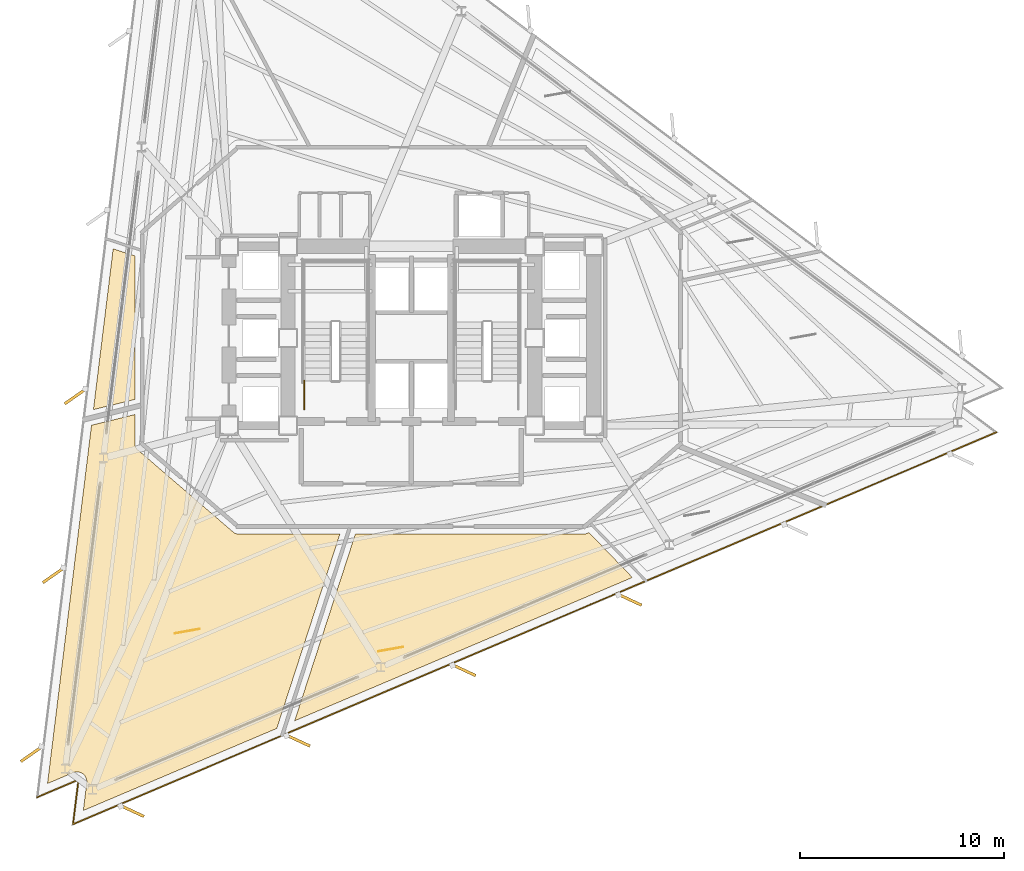
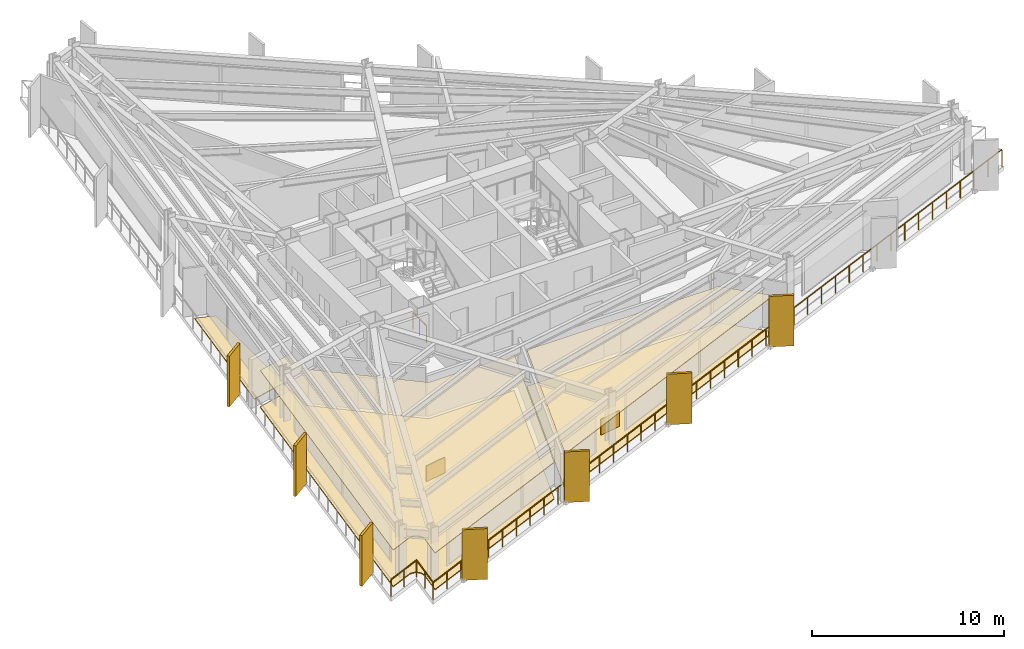
# One storey, part 9 of 13: 7 coverings, 7 shading devices, 2 railings.
"""IFC4 building model written with IfcOpenShell, lengths in metres."""

from ifc_helpers import new_model, si_unit, direction, frame, origin, origin_2d, place, context, subcontext, project, spatial, polyline, rectangle, outline, extrude, material, layer, layer_set, type_object, element, save


model = new_model("IFC4")

# Units and contexts
model_context = context("Model", 3, precision=1e-05, world=origin(), true_north=direction((0.0, 1.0)))
body_context = subcontext(model_context, "Body", "Model", "MODEL_VIEW")
ifc_project = project(units=[si_unit("LENGTHUNIT", "METRE"), si_unit("AREAUNIT", "SQUARE_METRE"), si_unit("VOLUMEUNIT", "CUBIC_METRE"), si_unit("PLANEANGLEUNIT", "RADIAN"), si_unit("MASSUNIT", "GRAM", prefix="KILO")], contexts=[model_context])

# Site, building, storey
site_placement = place(None, origin())
site = spatial("IfcSite", under=ifc_project, at=site_placement, CompositionType="ELEMENT")
building_placement = place(site_placement, origin())
building = spatial("IfcBuilding", under=site, at=building_placement, Name="Rocaltana Carrier Exchange", CompositionType="ELEMENT")
storey_placement = place(building_placement, frame((0.0, 0.0, 52.9599609375)))
storey = spatial("IfcBuildingStorey", under=building, at=storey_placement, Name="L16", CompositionType="ELEMENT", Elevation=52.9599609375)

# Coverings
ifc_material_1 = material(Name="Calcium Sulphate & Aluminium Pedestal", Category="aluminium")
ifc_layer_1 = layer(ifc_material_1, 0.06005859375)
ifc_layer_set_1 = layer_set([ifc_layer_1], Name="Calcium Sulphate & Aluminium Pedestal")
covering_type_1 = type_object("IfcCoveringType", Name="Anti-Static Raised Exchange Access Floor 60", PredefinedType="FLOORING", material=ifc_layer_set_1)
covering_1_placement = place(storey_placement, origin())
element("IfcCovering", 1, at=covering_1_placement, inside=storey, type_object=covering_type_1, Name="L16 Network Engineering Studio Finish Floor", PredefinedType="FLOORING", context=body_context, shape_type="SweptSolid", body=[
    extrude(outline(polyline([(-15.923583984375, -21.822021484375), (-15.922119140625, -21.80810546875), (-15.9208984375, -21.788330078125), (-15.920166015625, -21.760498046875), (-15.920654296875, -21.740478515625), (-15.9228515625, -21.712646484375), (-15.92529296875, -21.69287109375), (-15.930419921875, -21.665283203125), (-15.934814453125, -21.64599609375), (-15.9423828125, -21.619140625), (-15.94873046875, -21.60009765625), (-15.958984375, -21.57421875), (-15.96728515625, -21.55615234375), (-15.97998046875, -21.53125), (-15.989990234375, -21.51416015625), (-16.00537109375, -21.49072265625), (-16.01708984375, -21.474609375), (-16.034423828125, -21.45263671875), (-16.047607421875, -21.437744140625), (-16.067138671875, -21.41796875), (-16.081787109375, -21.404296875), (-16.103271484375, -21.386474609375), (-16.119140625, -21.37451171875), (-16.142333984375, -21.35888671875), (-16.159423828125, -21.348388671875), (-16.183837890625, -21.335205078125), (-16.201904296875, -21.326416015625), (-16.227783203125, -21.31591796875), (-16.246337890625, -21.30908203125), (-16.273193359375, -21.30078125), (-16.29248046875, -21.2958984375), (-16.31982421875, -21.29052734375), (-16.339599609375, -21.28759765625), (-16.3671875, -21.284912109375), (-16.38720703125, -21.283935546875), (-16.415283203125, -21.283935546875), (-16.43505859375, -21.284912109375), (-16.462890625, -21.287841796875), (-16.482421875, -21.291015625), (-16.510009765625, -21.29638671875), (-16.529296875, -21.301513671875), (-16.555908203125, -21.309814453125), (-16.57470703125, -21.316650390625), (-16.587646484375, -21.32177734375), (-17.847412109375, -21.8564453125), (-15.689697265625, -4.282958984375), (-13.56005859375, -3.751953125), (-13.56005859375, -5.199951171875), (-13.559814453125, -5.21337890625), (-13.559326171875, -5.220947265625), (-13.556884765625, -5.24755859375), (-13.5556640625, -5.255126953125), (-13.550537109375, -5.281494140625), (-13.548828125, -5.288818359375), (-13.541259765625, -5.314453125), (-13.538818359375, -5.32177734375), (-13.52880859375, -5.346435546875), (-13.525634765625, -5.353515625), (-13.51318359375, -5.377197265625), (-13.509521484375, -5.3837890625), (-13.4951171875, -5.40625), (-13.490478515625, -5.41259765625), (-13.47412109375, -5.433349609375), (-13.468994140625, -5.439208984375), (-13.450439453125, -5.45849609375), (-13.44482421875, -5.4638671875), (-13.43505859375, -5.47265625), (-8.735107421875, -9.522705078125), (-8.72412109375, -9.53173828125), (-8.717529296875, -9.53662109375), (-8.6943359375, -9.552978515625), (-8.6875, -9.557373046875), (-8.66259765625, -9.571044921875), (-8.6552734375, -9.57470703125), (-8.629150390625, -9.5859375), (-8.62158203125, -9.5888671875), (-8.594482421875, -9.597412109375), (-8.58642578125, -9.599365234375), (-8.55859375, -9.60498046875), (-8.550537109375, -9.606201171875), (-8.522216796875, -9.609130859375), (-8.51416015625, -9.609619140625), (-8.5, -9.610107421875), (-3.5009765625, -9.610107421875), (-6.6015625, -19.15283203125), (-16.09033203125, -23.180419921875), (-15.923583984375, -21.822021484375)])), origin(), (0.0, 0.0, 1.0), 0.06005859375),
])
covering_2_placement = place(storey_placement, origin())
element("IfcCovering", 2, at=covering_2_placement, inside=storey, type_object=covering_type_1, Name="L16 Photonic Integration Workshop Finish Floor", PredefinedType="FLOORING", context=body_context, shape_type="SweptSolid", body=[
    extrude(outline(polyline([(-5.723388671875, -18.780029296875), (-2.743896484375, -9.610107421875), (8.5, -9.610107421875), (8.51416015625, -9.609619140625), (8.522216796875, -9.609130859375), (8.550537109375, -9.606201171875), (8.55859375, -9.60498046875), (8.58642578125, -9.599365234375), (8.594482421875, -9.597412109375), (8.62158203125, -9.5888671875), (8.629150390625, -9.5859375), (8.6552734375, -9.57470703125), (8.66259765625, -9.571044921875), (8.6875, -9.557373046875), (8.6943359375, -9.552978515625), (8.71240234375, -9.540283203125), (10.843994140625, -11.74755859375), (-5.723388671875, -18.780029296875)])), origin(), (0.0, 0.0, 1.0), 0.06005859375),
])
covering_3_placement = place(storey_placement, origin())
element("IfcCovering", 3, at=covering_3_placement, inside=storey, type_object=covering_type_1, Name="L16 Cloud Architecture Office Finish Floor", PredefinedType="FLOORING", context=body_context, shape_type="SweptSolid", body=[
    extrude(outline(polyline([(-14.626708984375, 4.3740234375), (-13.56005859375, 4.02734375), (-13.56005859375, -3.010009765625), (-15.595703125, -3.517333984375), (-14.626708984375, 4.3740234375)])), origin(), (0.0, 0.0, 1.0), 0.06005859375),
])
ifc_material_2 = material(Name="Mineral Fibre & Powder-Coated Aluminium", Category="aluminium")
ifc_layer_2 = layer(ifc_material_2, 0.044921875)
ifc_layer_set_2 = layer_set([ifc_layer_2], Name="Mineral Fibre & Powder-Coated Aluminium")
covering_type_2 = type_object("IfcCoveringType", Name="Micro-Perforated Acoustic Ceiling 45", PredefinedType="CEILING", material=ifc_layer_set_2)
covering_4_placement = place(storey_placement, frame((0.0, 0.0, 2.322998046875)))
element("IfcCovering", 4, at=covering_4_placement, inside=storey, type_object=covering_type_2, Name="L16 Network Engineering Studio Acoustic Ceiling", PredefinedType="CEILING", context=body_context, shape_type="SweptSolid", body=[
    extrude(outline(polyline([(-15.923583984375, -21.822021484375), (-15.922119140625, -21.80810546875), (-15.9208984375, -21.788330078125), (-15.920166015625, -21.760498046875), (-15.920654296875, -21.740478515625), (-15.9228515625, -21.712646484375), (-15.92529296875, -21.69287109375), (-15.930419921875, -21.665283203125), (-15.934814453125, -21.64599609375), (-15.9423828125, -21.619140625), (-15.94873046875, -21.60009765625), (-15.958984375, -21.57421875), (-15.96728515625, -21.55615234375), (-15.97998046875, -21.53125), (-15.989990234375, -21.51416015625), (-16.00537109375, -21.49072265625), (-16.01708984375, -21.474609375), (-16.034423828125, -21.45263671875), (-16.047607421875, -21.437744140625), (-16.067138671875, -21.41796875), (-16.081787109375, -21.404296875), (-16.103271484375, -21.386474609375), (-16.119140625, -21.37451171875), (-16.142333984375, -21.35888671875), (-16.159423828125, -21.348388671875), (-16.183837890625, -21.335205078125), (-16.201904296875, -21.326416015625), (-16.227783203125, -21.31591796875), (-16.246337890625, -21.30908203125), (-16.273193359375, -21.30078125), (-16.29248046875, -21.2958984375), (-16.31982421875, -21.29052734375), (-16.339599609375, -21.28759765625), (-16.3671875, -21.284912109375), (-16.38720703125, -21.283935546875), (-16.415283203125, -21.283935546875), (-16.43505859375, -21.284912109375), (-16.462890625, -21.287841796875), (-16.482421875, -21.291015625), (-16.510009765625, -21.29638671875), (-16.529296875, -21.301513671875), (-16.555908203125, -21.309814453125), (-16.57470703125, -21.316650390625), (-16.587646484375, -21.32177734375), (-17.847412109375, -21.8564453125), (-15.689697265625, -4.282958984375), (-13.56005859375, -3.751953125), (-13.56005859375, -5.199951171875), (-13.559814453125, -5.21337890625), (-13.559326171875, -5.220947265625), (-13.556884765625, -5.24755859375), (-13.5556640625, -5.255126953125), (-13.550537109375, -5.281494140625), (-13.548828125, -5.288818359375), (-13.541259765625, -5.314453125), (-13.538818359375, -5.32177734375), (-13.52880859375, -5.346435546875), (-13.525634765625, -5.353515625), (-13.51318359375, -5.377197265625), (-13.509521484375, -5.3837890625), (-13.4951171875, -5.40625), (-13.490478515625, -5.41259765625), (-13.47412109375, -5.433349609375), (-13.468994140625, -5.439208984375), (-13.450439453125, -5.45849609375), (-13.44482421875, -5.4638671875), (-13.43505859375, -5.47265625), (-8.735107421875, -9.522705078125), (-8.72412109375, -9.53173828125), (-8.717529296875, -9.53662109375), (-8.6943359375, -9.552978515625), (-8.6875, -9.557373046875), (-8.66259765625, -9.571044921875), (-8.6552734375, -9.57470703125), (-8.629150390625, -9.5859375), (-8.62158203125, -9.5888671875), (-8.594482421875, -9.597412109375), (-8.58642578125, -9.599365234375), (-8.55859375, -9.60498046875), (-8.550537109375, -9.606201171875), (-8.522216796875, -9.609130859375), (-8.51416015625, -9.609619140625), (-8.5, -9.610107421875), (-3.5009765625, -9.610107421875), (-6.6015625, -19.15283203125), (-16.09033203125, -23.180419921875), (-15.923583984375, -21.822021484375)])), origin(), (0.0, 0.0, 1.0), 0.044921875),
])
covering_5_placement = place(storey_placement, frame((0.0, 0.0, 2.322998046875)))
element("IfcCovering", 5, at=covering_5_placement, inside=storey, type_object=covering_type_2, Name="L16 Photonic Integration Workshop Acoustic Ceiling", PredefinedType="CEILING", context=body_context, shape_type="SweptSolid", body=[
    extrude(outline(polyline([(-5.723388671875, -18.780029296875), (-2.743896484375, -9.610107421875), (8.5, -9.610107421875), (8.51416015625, -9.609619140625), (8.522216796875, -9.609130859375), (8.550537109375, -9.606201171875), (8.55859375, -9.60498046875), (8.58642578125, -9.599365234375), (8.594482421875, -9.597412109375), (8.62158203125, -9.5888671875), (8.629150390625, -9.5859375), (8.6552734375, -9.57470703125), (8.66259765625, -9.571044921875), (8.6875, -9.557373046875), (8.6943359375, -9.552978515625), (8.71240234375, -9.540283203125), (10.843994140625, -11.74755859375), (-5.723388671875, -18.780029296875)])), origin(), (0.0, 0.0, 1.0), 0.044921875),
])

# Railing
ifc_material_3 = material(Name="Powder-Coated Aluminium 6063-T6", Category="aluminium")
ifc_layer_3 = layer(ifc_material_3, 0.048095703125)
ifc_layer_set_3 = layer_set([ifc_layer_3], Name="Powder-Coated Aluminium 6063-T6")
railing_type_1 = type_object("IfcRailingType", Name="Stair Well Guardrail 1100", PredefinedType="GUARDRAIL", material=ifc_layer_set_3)
railing_1_placement = place(storey_placement, frame((-5.25, -3.5, 0.0)))
element("IfcRailing", 6, at=railing_1_placement, inside=storey, type_object=railing_type_1, Name="L16 ST-1 stair guard 9", PredefinedType="GUARDRAIL", context=body_context, shape_type="SweptSolid", body=[
    extrude(rectangle(XDim=0.048095703125, YDim=0.048095703125, at=origin_2d()), frame((0.0, 0.0, 1.076171875), z_axis=(0.0, 1.0, 0.0), x_axis=(-1.0, 0.0, 0.0)), (0.0, 0.0, 1.0), 1.39990234375),
    extrude(rectangle(XDim=0.0419921875, YDim=0.0419921875, at=origin_2d()), origin(), (0.0, 0.0, 1.0), 1.052001953125),
    extrude(rectangle(XDim=0.0419921875, YDim=0.0419921875, at=origin_2d()), frame((0.0, 0.699951171875, 0.0)), (0.0, 0.0, 1.0), 1.052001953125),
    extrude(rectangle(XDim=0.0419921875, YDim=0.0419921875, at=origin_2d()), frame((0.0, 1.39990234375, 0.0)), (0.0, 0.0, 1.0), 1.052001953125),
])

# Coverings
ifc_material_4 = material(Name="Honed Piedra Muneca Sandstone", Category="masonry")
ifc_layer_4 = layer(ifc_material_4, 0.034912109375)
ifc_layer_set_4 = layer_set([ifc_layer_4], Name="Honed Piedra Muneca Sandstone")
covering_type_3 = type_object("IfcCoveringType", Name="Stone Facade Cladding 35", PredefinedType="CLADDING", material=ifc_layer_set_4)
for number, where, z_axis, x_axis, name in (
    (7, (-10.990478515625, -14.38134765625, 0.0), (0.0, 0.0, 1.0), (0.984807753012, 0.173648177667, 0.0), "L16 Stone Facade Cladding Panel 1"),
    (8, (-1.010498046875, -15.263916015625, 0.0), (0.0, 0.0, 1.0), (0.984807753012, 0.173648177667, 0.0), "L16 Stone Facade Cladding Panel 2"),
):
    element("IfcCovering", number, at=place(storey_placement, frame(where, z_axis=z_axis, x_axis=x_axis)), inside=storey, type_object=covering_type_3, Name=name, PredefinedType="CLADDING", context=body_context, shape_type="SweptSolid", body=[
        extrude(rectangle(XDim=1.25, YDim=0.034912109375, at=origin_2d()), origin(), (0.0, 0.0, 1.0), 1.050048828125),
    ])

# Shading devices
ifc_material_5 = material(Name="Honed Bogota Sandstone & Concrete C45/55", Category="masonry")
ifc_layer_5 = layer(ifc_material_5, 0.139892578125)
ifc_layer_set_5 = layer_set([ifc_layer_5], Name="Honed Bogota Sandstone & Concrete C45/55")
shading_device_type = type_object("IfcShadingDeviceType", Name="Vertical Sandstone Shading Fin 1320x140", PredefinedType="USERDEFINED", material=ifc_layer_set_5)
for number, where, z_axis, x_axis, name in (
    (9, (-16.46142578125, -2.85009765625, -0.1201171875), (0.0, 0.0, 1.0), (-0.819152044289, -0.573576436351, 0.0), "L16 Sandstone Vertical Fin F2-04"),
    (10, (-17.538818359375, -11.6240234375, -0.1201171875), (0.0, 0.0, 1.0), (-0.819152044289, -0.573576436351, 0.0), "L16 Sandstone Vertical Fin F2-05"),
    (11, (-18.6162109375, -20.398193359375, -0.1201171875), (0.0, 0.0, 1.0), (-0.819152044289, -0.573576436351, 0.0), "L16 Sandstone Vertical Fin F2-06"),
    (12, (-13.712890625, -23.193359375, -0.1201171875), (0.0, 0.0, 1.0), (0.906307787037, -0.422618261741, 0.0), "L16 Sandstone Vertical Fin F3-01"),
    (13, (-5.57568359375, -19.7392578125, -0.1201171875), (0.0, 0.0, 1.0), (0.906307787037, -0.422618261741, 0.0), "L16 Sandstone Vertical Fin F3-02"),
    (14, (2.5615234375, -16.28515625, -0.1201171875), (0.0, 0.0, 1.0), (0.906307787037, -0.422618261741, 0.0), "L16 Sandstone Vertical Fin F3-03"),
    (15, (10.698974609375, -12.8310546875, -0.1201171875), (0.0, 0.0, 1.0), (0.906307787037, -0.422618261741, 0.0), "L16 Sandstone Vertical Fin F3-04"),
):
    element("IfcShadingDevice", number, at=place(storey_placement, frame(where, z_axis=z_axis, x_axis=x_axis)), inside=storey, type_object=shading_device_type, Name=name, ObjectType="FIN", PredefinedType="USERDEFINED", context=body_context, shape_type="SweptSolid", body=[
        extrude(rectangle(XDim=1.320068359375, YDim=0.139892578125, at=origin_2d()), origin(), (0.0, 0.0, 1.0), 3.218017578125),
    ])

# Railing
ifc_material_6 = material(Name="Powder-Coated Aluminium 6063-T6", Category="aluminium")
ifc_layer_6 = layer(ifc_material_6, 0.06005859375)
ifc_layer_set_6 = layer_set([ifc_layer_6], Name="Powder-Coated Aluminium 6063-T6")
railing_type_2 = type_object("IfcRailingType", Name="Wind-Floor & Terrace Perimeter Guardrail 1100", PredefinedType="GUARDRAIL", material=ifc_layer_set_6)
railing_2_placement = place(storey_placement, frame((28.685791015625, -4.63037109375, 0.0)))
element("IfcRailing", 16, at=railing_2_placement, inside=storey, type_object=railing_type_2, Name="L16 Perimeter Balcony Guardrail 1", PredefinedType="GUARDRAIL", context=body_context, shape_type="SweptSolid", body=[
    extrude(rectangle(XDim=0.048095703125, YDim=0.048095703125, at=origin_2d()), frame((0.0, 0.0, 1.076171875), z_axis=(-0.920504928534, -0.390730951608, 0.0), x_axis=(0.390730951608, -0.920504928534, 0.0)), (0.0, 0.0, 1.0), 49.1923828125),
    extrude(rectangle(XDim=0.048095703125, YDim=0.048095703125, at=origin_2d()), frame((-45.28173828125, -19.220947265625, 1.076171875), z_axis=(0.121849105842, 0.992548636292, 0.0), x_axis=(-0.992548636292, 0.121849105842, 0.0)), (0.0, 0.0, 1.0), 2.199951171875),
    extrude(rectangle(XDim=0.048095703125, YDim=0.048095703125, at=origin_2d()), frame((-45.013671875, -17.037353515625, 1.076171875), z_axis=(-0.920488651352, -0.390769296046, 0.0), x_axis=(0.390769296046, -0.920488651352, 0.0)), (0.0, 0.0, 1.0), 2.19970703125),
    extrude(rectangle(XDim=0.0419921875, YDim=0.0419921875, at=origin_2d()), origin(), (0.0, 0.0, 1.0), 1.052001953125),
    extrude(rectangle(XDim=0.0419921875, YDim=0.0419921875, at=origin_2d()), frame((-1.1044921875, -0.46875, 0.0)), (0.0, 0.0, 1.0), 1.052001953125),
    extrude(rectangle(XDim=0.0419921875, YDim=0.0419921875, at=origin_2d()), frame((-2.208984375, -0.9375, 0.0)), (0.0, 0.0, 1.0), 1.052001953125),
    extrude(rectangle(XDim=0.0419921875, YDim=0.0419921875, at=origin_2d()), frame((-3.313232421875, -1.406494140625, 0.0)), (0.0, 0.0, 1.0), 1.052001953125),
    extrude(rectangle(XDim=0.0419921875, YDim=0.0419921875, at=origin_2d()), frame((-4.417724609375, -1.875244140625, 0.0)), (0.0, 0.0, 1.0), 1.052001953125),
    extrude(rectangle(XDim=0.0419921875, YDim=0.0419921875, at=origin_2d()), frame((-5.522216796875, -2.343994140625, 0.0)), (0.0, 0.0, 1.0), 1.052001953125),
    extrude(rectangle(XDim=0.0419921875, YDim=0.0419921875, at=origin_2d()), frame((-6.626708984375, -2.812744140625, 0.0)), (0.0, 0.0, 1.0), 1.052001953125),
    extrude(rectangle(XDim=0.0419921875, YDim=0.0419921875, at=origin_2d()), frame((-7.73095703125, -3.28173828125, 0.0)), (0.0, 0.0, 1.0), 1.052001953125),
    extrude(rectangle(XDim=0.0419921875, YDim=0.0419921875, at=origin_2d()), frame((-8.83544921875, -3.75048828125, 0.0)), (0.0, 0.0, 1.0), 1.052001953125),
    extrude(rectangle(XDim=0.0419921875, YDim=0.0419921875, at=origin_2d()), frame((-9.93994140625, -4.21923828125, 0.0)), (0.0, 0.0, 1.0), 1.052001953125),
    extrude(rectangle(XDim=0.0419921875, YDim=0.0419921875, at=origin_2d()), frame((-11.04443359375, -4.68798828125, 0.0)), (0.0, 0.0, 1.0), 1.052001953125),
    extrude(rectangle(XDim=0.0419921875, YDim=0.0419921875, at=origin_2d()), frame((-12.148681640625, -5.15673828125, 0.0)), (0.0, 0.0, 1.0), 1.052001953125),
    extrude(rectangle(XDim=0.0419921875, YDim=0.0419921875, at=origin_2d()), frame((-13.253173828125, -5.625732421875, 0.0)), (0.0, 0.0, 1.0), 1.052001953125),
    extrude(rectangle(XDim=0.0419921875, YDim=0.0419921875, at=origin_2d()), frame((-14.357666015625, -6.094482421875, 0.0)), (0.0, 0.0, 1.0), 1.052001953125),
    extrude(rectangle(XDim=0.0419921875, YDim=0.0419921875, at=origin_2d()), frame((-15.462158203125, -6.563232421875, 0.0)), (0.0, 0.0, 1.0), 1.052001953125),
    extrude(rectangle(XDim=0.0419921875, YDim=0.0419921875, at=origin_2d()), frame((-16.56640625, -7.031982421875, 0.0)), (0.0, 0.0, 1.0), 1.052001953125),
    extrude(rectangle(XDim=0.0419921875, YDim=0.0419921875, at=origin_2d()), frame((-17.6708984375, -7.5009765625, 0.0)), (0.0, 0.0, 1.0), 1.052001953125),
    extrude(rectangle(XDim=0.0419921875, YDim=0.0419921875, at=origin_2d()), frame((-18.775390625, -7.9697265625, 0.0)), (0.0, 0.0, 1.0), 1.052001953125),
    extrude(rectangle(XDim=0.0419921875, YDim=0.0419921875, at=origin_2d()), frame((-19.8798828125, -8.4384765625, 0.0)), (0.0, 0.0, 1.0), 1.052001953125),
    extrude(rectangle(XDim=0.0419921875, YDim=0.0419921875, at=origin_2d()), frame((-20.984130859375, -8.9072265625, 0.0)), (0.0, 0.0, 1.0), 1.052001953125),
    extrude(rectangle(XDim=0.0419921875, YDim=0.0419921875, at=origin_2d()), frame((-22.088623046875, -9.3759765625, 0.0)), (0.0, 0.0, 1.0), 1.052001953125),
    extrude(rectangle(XDim=0.0419921875, YDim=0.0419921875, at=origin_2d()), frame((-23.193115234375, -9.844970703125, 0.0)), (0.0, 0.0, 1.0), 1.052001953125),
    extrude(rectangle(XDim=0.0419921875, YDim=0.0419921875, at=origin_2d()), frame((-24.297607421875, -10.313720703125, 0.0)), (0.0, 0.0, 1.0), 1.052001953125),
    extrude(rectangle(XDim=0.0419921875, YDim=0.0419921875, at=origin_2d()), frame((-25.40185546875, -10.782470703125, 0.0)), (0.0, 0.0, 1.0), 1.052001953125),
    extrude(rectangle(XDim=0.0419921875, YDim=0.0419921875, at=origin_2d()), frame((-26.50634765625, -11.251220703125, 0.0)), (0.0, 0.0, 1.0), 1.052001953125),
    extrude(rectangle(XDim=0.0419921875, YDim=0.0419921875, at=origin_2d()), frame((-27.61083984375, -11.719970703125, 0.0)), (0.0, 0.0, 1.0), 1.052001953125),
    extrude(rectangle(XDim=0.0419921875, YDim=0.0419921875, at=origin_2d()), frame((-28.71533203125, -12.18896484375, 0.0)), (0.0, 0.0, 1.0), 1.052001953125),
    extrude(rectangle(XDim=0.0419921875, YDim=0.0419921875, at=origin_2d()), frame((-29.819580078125, -12.65771484375, 0.0)), (0.0, 0.0, 1.0), 1.052001953125),
    extrude(rectangle(XDim=0.0419921875, YDim=0.0419921875, at=origin_2d()), frame((-30.924072265625, -13.12646484375, 0.0)), (0.0, 0.0, 1.0), 1.052001953125),
    extrude(rectangle(XDim=0.0419921875, YDim=0.0419921875, at=origin_2d()), frame((-32.028564453125, -13.59521484375, 0.0)), (0.0, 0.0, 1.0), 1.052001953125),
    extrude(rectangle(XDim=0.0419921875, YDim=0.0419921875, at=origin_2d()), frame((-33.133056640625, -14.064208984375, 0.0)), (0.0, 0.0, 1.0), 1.052001953125),
    extrude(rectangle(XDim=0.0419921875, YDim=0.0419921875, at=origin_2d()), frame((-34.2373046875, -14.532958984375, 0.0)), (0.0, 0.0, 1.0), 1.052001953125),
    extrude(rectangle(XDim=0.0419921875, YDim=0.0419921875, at=origin_2d()), frame((-35.341796875, -15.001708984375, 0.0)), (0.0, 0.0, 1.0), 1.052001953125),
    extrude(rectangle(XDim=0.0419921875, YDim=0.0419921875, at=origin_2d()), frame((-36.4462890625, -15.470458984375, 0.0)), (0.0, 0.0, 1.0), 1.052001953125),
    extrude(rectangle(XDim=0.0419921875, YDim=0.0419921875, at=origin_2d()), frame((-37.55078125, -15.939208984375, 0.0)), (0.0, 0.0, 1.0), 1.052001953125),
    extrude(rectangle(XDim=0.0419921875, YDim=0.0419921875, at=origin_2d()), frame((-38.655029296875, -16.408203125, 0.0)), (0.0, 0.0, 1.0), 1.052001953125),
    extrude(rectangle(XDim=0.0419921875, YDim=0.0419921875, at=origin_2d()), frame((-39.759521484375, -16.876953125, 0.0)), (0.0, 0.0, 1.0), 1.052001953125),
    extrude(rectangle(XDim=0.0419921875, YDim=0.0419921875, at=origin_2d()), frame((-40.864013671875, -17.345703125, 0.0)), (0.0, 0.0, 1.0), 1.052001953125),
    extrude(rectangle(XDim=0.0419921875, YDim=0.0419921875, at=origin_2d()), frame((-41.968505859375, -17.814453125, 0.0)), (0.0, 0.0, 1.0), 1.052001953125),
    extrude(rectangle(XDim=0.0419921875, YDim=0.0419921875, at=origin_2d()), frame((-43.07275390625, -18.283447265625, 0.0)), (0.0, 0.0, 1.0), 1.052001953125),
    extrude(rectangle(XDim=0.0419921875, YDim=0.0419921875, at=origin_2d()), frame((-44.17724609375, -18.752197265625, 0.0)), (0.0, 0.0, 1.0), 1.052001953125),
    extrude(rectangle(XDim=0.0419921875, YDim=0.0419921875, at=origin_2d()), frame((-45.28173828125, -19.220947265625, 0.0)), (0.0, 0.0, 1.0), 1.052001953125),
    extrude(rectangle(XDim=0.0419921875, YDim=0.0419921875, at=origin_2d()), frame((-45.147705078125, -18.129150390625, 0.0)), (0.0, 0.0, 1.0), 1.052001953125),
    extrude(rectangle(XDim=0.0419921875, YDim=0.0419921875, at=origin_2d()), frame((-45.013671875, -17.037353515625, 0.0)), (0.0, 0.0, 1.0), 1.052001953125),
    extrude(rectangle(XDim=0.0419921875, YDim=0.0419921875, at=origin_2d()), frame((-46.026123046875, -17.46728515625, 0.0)), (0.0, 0.0, 1.0), 1.052001953125),
    extrude(rectangle(XDim=0.0419921875, YDim=0.0419921875, at=origin_2d()), frame((-47.03857421875, -17.89697265625, 0.0)), (0.0, 0.0, 1.0), 1.052001953125),
])

save(model, "model.ifc")
